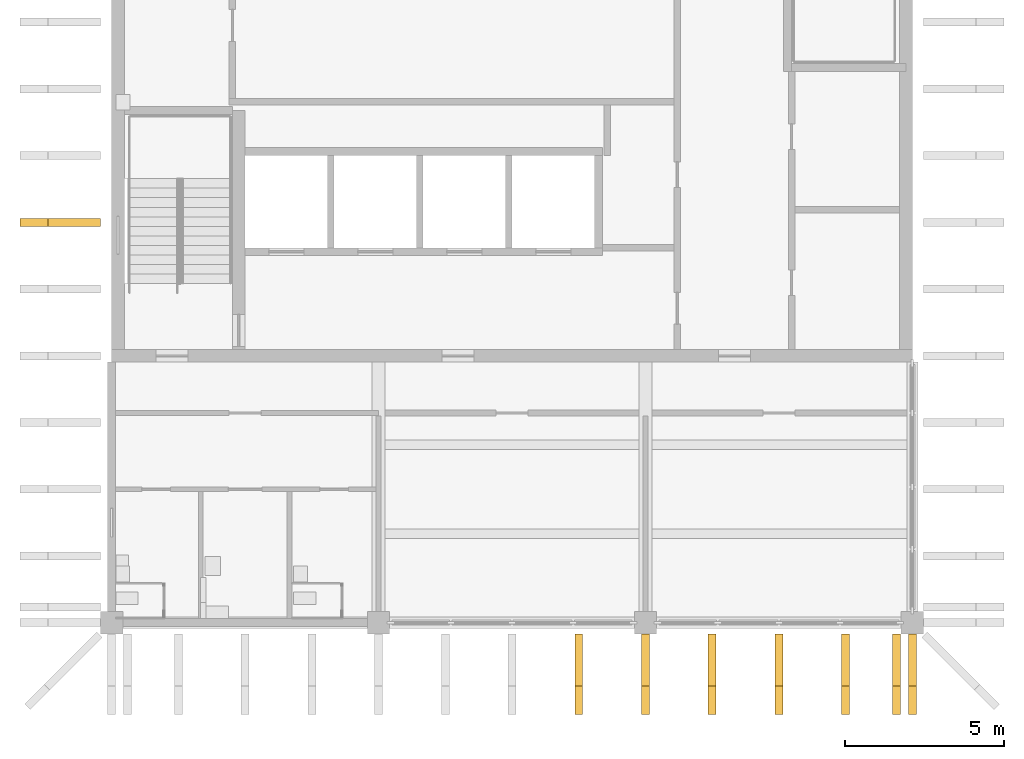
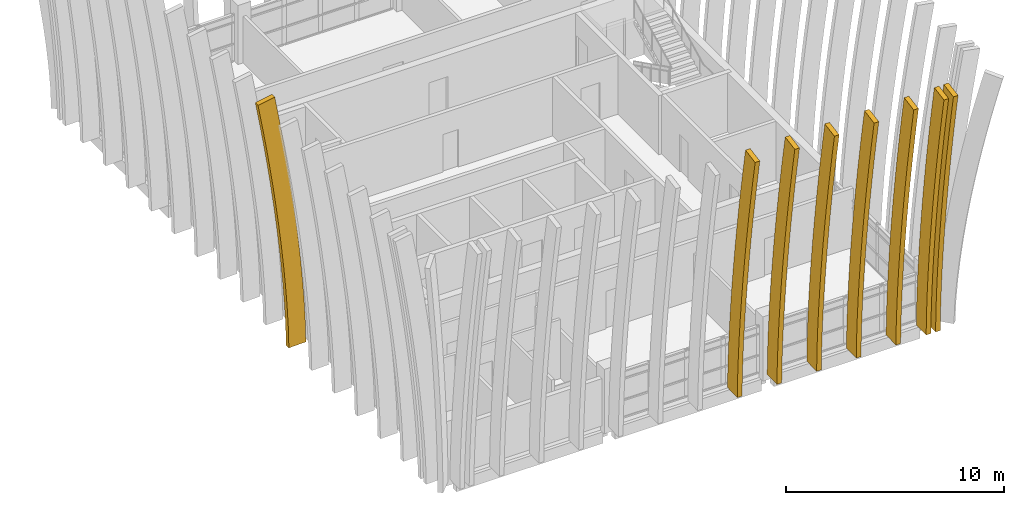
# One storey, part 11 of 19: 8 shading devices.
"""IFC4 building model written with IfcOpenShell, lengths in metres."""

import ifcopenshell
import ifcopenshell.guid

model = None  # the IFC model being written
_history = None  # IfcOwnerHistory: only IFC2X3 demands one
_inside = {}  # id of a spatial element -> (the spatial element, [elements in it])
_under = {}  # id of a project, library or spatial element -> (it, [spatial elements below it])
_declared = {}  # id of a project -> (the project, [libraries it declares])
_typed = {}  # id of a type object -> (the type object, [elements of that type])
_made_of = {}  # id of a material, layer set ... -> (it, [elements and type objects made of it])


def new_model(schema):
    """Start an empty IFC model of exactly this schema.

    Asked for "IFC4X3", IfcOpenShell would pick the latest addendum, in which some entities
    have other attributes; the version numbers below select the first issue.
    IFC2X3 requires an IfcOwnerHistory on every rooted entity: one is made here for all.
    """
    global model, _history
    if schema == "IFC4X3":
        model = ifcopenshell.file(schema_version=(4, 3, 0, 0))
    else:
        model = ifcopenshell.file(schema=schema)
    _inside.clear()
    _under.clear()
    _declared.clear()
    _typed.clear()
    _made_of.clear()
    _history = None
    if model.schema == "IFC2X3":
        org = make("IfcOrganization", Name="unknown")
        user = make(
            "IfcPersonAndOrganization",
            ThePerson=make("IfcPerson", FamilyName="unknown"),
            TheOrganization=org,
        )
        app = make(
            "IfcApplication",
            ApplicationDeveloper=org,
            Version="unknown",
            ApplicationFullName="unknown",
            ApplicationIdentifier="unknown",
        )
        _history = make(
            "IfcOwnerHistory",
            OwningUser=user,
            OwningApplication=app,
            ChangeAction="ADDED",
            CreationDate=0,
        )
    return model


def make(cls, **values):
    """One entity of the class cls with the attributes given. An attribute that is None is left unset."""
    return model.create_entity(
        cls, **{name: value for name, value in values.items() if value is not None}
    )


def rooted(cls, **values):
    """An entity with a GlobalId (a new one), such as an element, a storey or a relation."""
    return make(cls, GlobalId=ifcopenshell.guid.new(), OwnerHistory=_history, **values)


def si_unit(unit_type, name, prefix=None):
    """IfcSIUnit, for example si_unit("LENGTHUNIT", "METRE", prefix="MILLI")."""
    return make("IfcSIUnit", UnitType=unit_type, Prefix=prefix, Name=name)


def assignment(units):
    """IfcUnitAssignment: the units of a project."""
    return None if units is None else make("IfcUnitAssignment", Units=units)


def point(xyz):
    """IfcCartesianPoint."""
    return None if xyz is None else make("IfcCartesianPoint", Coordinates=xyz)


def direction(xyz):
    """IfcDirection."""
    return None if xyz is None else make("IfcDirection", DirectionRatios=xyz)


def frame(location, z_axis=None, x_axis=None):
    """IfcAxis2Placement3D, a coordinate frame: its origin and axes. An axis left out is left unset."""
    return make(
        "IfcAxis2Placement3D",
        Location=point(location),
        Axis=direction(z_axis),
        RefDirection=direction(x_axis),
    )


def frame_2d(location, x_axis=None):
    """IfcAxis2Placement2D, a coordinate frame in the plane: its origin and x axis."""
    return make(
        "IfcAxis2Placement2D", Location=point(location), RefDirection=direction(x_axis)
    )


def origin():
    """The frame at (0, 0, 0) with its axes left unset."""
    return frame((0.0, 0.0, 0.0))


def origin_2d():
    """The frame at (0, 0) in the plane with its x axis left unset."""
    return frame_2d((0.0, 0.0))


def place(relative_to, where):
    """IfcLocalPlacement: puts the frame where relative to a parent placement (None: the world)."""
    return make(
        "IfcLocalPlacement", PlacementRelTo=relative_to, RelativePlacement=where
    )


def context(
    kind, dimensions, precision=None, world=None, true_north=None, identifier=None
):
    """IfcGeometricRepresentationContext, for example the 3D "Model" context."""
    return make(
        "IfcGeometricRepresentationContext",
        ContextIdentifier=identifier,
        ContextType=kind,
        CoordinateSpaceDimension=dimensions,
        Precision=precision,
        WorldCoordinateSystem=world,
        TrueNorth=true_north,
    )


def subcontext(parent, identifier, kind, view, scale=None):
    """IfcGeometricRepresentationSubContext, for example "Body" below "Model"."""
    return make(
        "IfcGeometricRepresentationSubContext",
        ContextIdentifier=identifier,
        ContextType=kind,
        ParentContext=parent,
        TargetScale=scale,
        TargetView=view,
    )


def project(units=None, contexts=None):
    """IfcProject with its units and contexts."""
    return rooted(
        "IfcProject",
        Name="project",
        RepresentationContexts=contexts,
        UnitsInContext=assignment(units),
    )


def spatial(cls, under=None, at=None, **own):
    """A site, building, storey or space (cls), placed at a placement, below another one or the project."""
    s = rooted(cls, ObjectPlacement=at, **own)
    if under is not None:
        _under.setdefault(under.id(), (under, []))[1].append(s)
    return s


def profile(cls, at=None, kind="AREA", **sizes):
    """A parametric profile (cls). Its sizes go by their IFC names, for example OverallWidth=200.0."""
    return make(cls, ProfileType=kind, Position=at, **sizes)


def rectangle(**sizes):
    """IfcRectangleProfileDef."""
    return profile("IfcRectangleProfileDef", **sizes)


def faces_of(points, faces, orient=None, outer=None):
    """IfcFace entities. A face is a list of loops; a loop is a list of indices into points, from 0.

    orient and outer hold one flag for each loop. By default every Orientation is true, the
    first loop of a face is its IfcFaceOuterBound and the others are IfcFaceBound.
    """
    made = []
    for i, loops in enumerate(faces):
        bounds = []
        for j, loop in enumerate(loops):
            is_outer = j == 0 if outer is None else outer[i][j]
            bounds.append(
                make(
                    "IfcFaceOuterBound" if is_outer else "IfcFaceBound",
                    Bound=make("IfcPolyLoop", Polygon=[points[k] for k in loop]),
                    Orientation=True if orient is None else orient[i][j],
                )
            )
        made.append(make("IfcFace", Bounds=bounds))
    return made


def faceted_brep(points, faces, orient=None, outer=None, voids=None):
    """IfcFacetedBrep: a solid bounded by flat faces; with voids (closed shells), ...WithVoids."""
    shared = [point(p) for p in points]
    hull = make("IfcClosedShell", CfsFaces=faces_of(shared, faces, orient, outer))
    if voids is None:
        return make("IfcFacetedBrep", Outer=hull)
    return make(
        "IfcFacetedBrepWithVoids",
        Outer=hull,
        Voids=[
            make(cls, CfsFaces=faces_of(shared, fs, o, b)) for cls, fs, o, b in voids
        ],
    )


def shape(context_of_items, identifier, shape_type, items):
    """IfcShapeRepresentation: the items that make up one representation, for example the "Body"."""
    return make(
        "IfcShapeRepresentation",
        ContextOfItems=context_of_items,
        RepresentationIdentifier=identifier,
        RepresentationType=shape_type,
        Items=items,
    )


def material(Name=None, Category=None):
    """IfcMaterial."""
    return make("IfcMaterial", Name=Name, Category=Category)


def material_profile(
    of_material, cross_section, Name=None, Category=None, Priority=None
):
    """IfcMaterialProfile: a cross section and its material."""
    return make(
        "IfcMaterialProfile",
        Name=Name,
        Material=of_material,
        Profile=cross_section,
        Priority=Priority,
        Category=Category,
    )


def profile_set(profiles, Name=None, composite=None):
    """IfcMaterialProfileSet."""
    return make(
        "IfcMaterialProfileSet",
        Name=Name,
        MaterialProfiles=profiles,
        CompositeProfile=composite,
    )


def made_of(thing, what):
    """Note that an element or type object is made of a material, layer set ...; save() writes the relation."""
    if what is not None:
        _made_of.setdefault(what.id(), (what, []))[1].append(thing)
    return thing


def type_object(cls, material=None, **own):
    """A type object (cls), such as IfcWallType, which elements share."""
    return made_of(rooted(cls, **own), material)


def element(
    cls,
    number,
    at=None,
    inside=None,
    cuts=None,
    type_object=None,
    material=None,
    context=None,
    identifier="Body",
    shape_type=None,
    held_by="IfcProductDefinitionShape",
    body=None,
    shapes=None,
    **own,
):
    """One element of the class cls, such as IfcWall. Its Tag is "e" and its number.

    at: its placement. inside: the storey or other place that contains it. cuts: it is an
    opening in that element (IfcRelVoidsElement). A single representation is given by context,
    identifier, shape_type and body (its items); several are given by shapes. held_by: the class
    of the entity that holds the representations. save() writes the other relations.
    """
    e = rooted(cls, Tag="e%d" % number, ObjectPlacement=at, **own)
    if body is not None:
        shapes = [shape(context, identifier, shape_type, body)]
    if shapes is not None:
        e.Representation = make(held_by, Representations=shapes)
    if inside is not None:
        _inside.setdefault(inside.id(), (inside, []))[1].append(e)
    if cuts is not None:
        rooted(
            "IfcRelVoidsElement", RelatingBuildingElement=cuts, RelatedOpeningElement=e
        )
    if type_object is not None:
        _typed.setdefault(type_object.id(), (type_object, []))[1].append(e)
    return made_of(e, material)


def aggregate(whole, parts):
    """IfcRelAggregates: a whole, such as a stair, and the parts it consists of."""
    return rooted("IfcRelAggregates", RelatingObject=whole, RelatedObjects=parts)


def save(model, path):
    """Write the relations noted so far, then the file.

    IfcRelAggregates (storeys below a building ...), IfcRelContainedInSpatialStructure (elements
    in a storey), IfcRelDefinesByType, IfcRelAssociatesMaterial and IfcRelDeclares: one each for
    every whole, place, type object, material and project.
    """
    for whole, parts in _under.values():
        aggregate(whole, parts)
    for where, things in _inside.values():
        rooted(
            "IfcRelContainedInSpatialStructure",
            RelatedElements=things,
            RelatingStructure=where,
        )
    for kind, things in _typed.values():
        rooted("IfcRelDefinesByType", RelatedObjects=things, RelatingType=kind)
    for what, things in _made_of.values():
        rooted("IfcRelAssociatesMaterial", RelatedObjects=things, RelatingMaterial=what)
    for by, libraries in _declared.values():
        rooted("IfcRelDeclares", RelatingContext=by, RelatedDefinitions=libraries)
    model.write(path)


model = new_model("IFC4")

# Units and contexts
model_context = context("Model", 3, precision=1e-05, world=origin(), true_north=direction((0.0, 1.0)))
body_context = subcontext(model_context, "Body", "Model", "MODEL_VIEW")
ifc_project = project(units=[si_unit("LENGTHUNIT", "METRE"), si_unit("AREAUNIT", "SQUARE_METRE"), si_unit("VOLUMEUNIT", "CUBIC_METRE"), si_unit("PLANEANGLEUNIT", "RADIAN"), si_unit("MASSUNIT", "GRAM", prefix="KILO")], contexts=[model_context])

# Site, building, storey
site_placement = place(None, origin())
site = spatial("IfcSite", under=ifc_project, at=site_placement, CompositionType="ELEMENT")
building_placement = place(site_placement, origin())
building = spatial("IfcBuilding", under=site, at=building_placement, Name="Rulbaag Community and Learning Centre", CompositionType="ELEMENT")
storey_placement = place(building_placement, frame((0.0, 0.0, 57.60009765625)))
storey = spatial("IfcBuildingStorey", under=building, at=storey_placement, Name="L15", CompositionType="ELEMENT", Elevation=57.60009765625)

# Shading devices
ifc_material = material(Name="Concrete M40", Category="concrete")
ifc_material_profile = material_profile(ifc_material, rectangle(XDim=0.25, YDim=0.89990234375, at=origin_2d()), Name="PC 250x900")
ifc_profile_set = profile_set([ifc_material_profile], Name="Concrete M40")
shading_device_type = type_object("IfcShadingDeviceType", Name="FIN-H", PredefinedType="JALOUSIE", material=ifc_profile_set)
shading_device_1_placement = place(storey_placement, frame((0.0, 0.0, -57.60009765625)))
element("IfcShadingDevice", 1, at=shading_device_1_placement, inside=storey, type_object=shading_device_type, Name="Precast crown fin", PredefinedType="JALOUSIE", context=body_context, shape_type="Brep", body=[
    faceted_brep([(157.375, 82.75, 57.587646484375), (157.625, 82.75, 57.587646484375), (157.625, 83.64990234375, 57.611083984375), (157.375, 83.64990234375, 57.611083984375), (157.375, 82.00048828125, 71.89794921875), (157.625, 82.00048828125, 71.89794921875), (157.625, 81.11474609375, 71.73876953125), (157.375, 81.11474609375, 71.73876953125), (157.625, 83.619140625, 58.790771484375), (157.375, 83.619140625, 58.790771484375), (157.625, 82.7197265625, 58.755126953125), (157.375, 82.7197265625, 58.755126953125), (157.625, 83.55615234375, 59.983154296875), (157.375, 83.55615234375, 59.983154296875), (157.625, 82.65771484375, 59.927001953125), (157.375, 82.65771484375, 59.927001953125), (157.625, 83.470458984375, 61.1748046875), (157.375, 83.470458984375, 61.1748046875), (157.625, 82.573486328125, 61.10302734375), (157.375, 82.573486328125, 61.10302734375), (157.625, 83.365478515625, 62.36669921875), (157.375, 83.365478515625, 62.36669921875), (157.625, 82.469482421875, 62.28125), (157.375, 82.469482421875, 62.28125), (157.625, 83.243408203125, 63.558349609375), (157.375, 83.243408203125, 63.558349609375), (157.625, 82.348876953125, 63.460693359375), (157.375, 82.348876953125, 63.460693359375), (157.625, 83.105712890625, 64.75), (157.375, 83.105712890625, 64.75), (157.625, 82.212158203125, 64.64111328125), (157.375, 82.212158203125, 64.64111328125), (157.625, 82.953369140625, 65.941650390625), (157.375, 82.953369140625, 65.941650390625), (157.625, 82.061279296875, 65.822509765625), (157.375, 82.061279296875, 65.822509765625), (157.625, 82.78759765625, 67.13330078125), (157.375, 82.78759765625, 67.13330078125), (157.625, 81.89697265625, 67.00439453125), (157.375, 81.89697265625, 67.00439453125), (157.625, 82.608642578125, 68.324951171875), (157.375, 82.608642578125, 68.324951171875), (157.625, 81.719482421875, 68.186767578125), (157.375, 81.719482421875, 68.186767578125), (157.625, 82.417236328125, 69.5166015625), (157.375, 82.417236328125, 69.5166015625), (157.625, 81.529541015625, 69.36962890625), (157.375, 81.529541015625, 69.36962890625), (157.625, 82.214599609375, 70.708251953125), (157.375, 82.214599609375, 70.708251953125), (157.625, 81.327880859375, 70.552978515625), (157.375, 81.327880859375, 70.552978515625)], [[[0, 1, 2, 3]], [[4, 5, 6, 7]], [[3, 2, 8, 9]], [[2, 1, 10, 8]], [[1, 0, 11, 10]], [[0, 3, 9, 11]], [[9, 8, 12, 13]], [[8, 10, 14, 12]], [[10, 11, 15, 14]], [[11, 9, 13, 15]], [[13, 12, 16, 17]], [[12, 14, 18, 16]], [[14, 15, 19, 18]], [[15, 13, 17, 19]], [[17, 16, 20, 21]], [[16, 18, 22, 20]], [[18, 19, 23, 22]], [[19, 17, 21, 23]], [[21, 20, 24, 25]], [[20, 22, 26, 24]], [[22, 23, 27, 26]], [[23, 21, 25, 27]], [[25, 24, 28, 29]], [[24, 26, 30, 28]], [[26, 27, 31, 30]], [[27, 25, 29, 31]], [[29, 28, 32, 33]], [[28, 30, 34, 32]], [[30, 31, 35, 34]], [[31, 29, 33, 35]], [[33, 32, 36, 37]], [[32, 34, 38, 36]], [[34, 35, 39, 38]], [[35, 33, 37, 39]], [[37, 36, 40, 41]], [[36, 38, 42, 40]], [[38, 39, 43, 42]], [[39, 37, 41, 43]], [[41, 40, 44, 45]], [[40, 42, 46, 44]], [[42, 43, 47, 46]], [[43, 41, 45, 47]], [[45, 44, 48, 49]], [[44, 46, 50, 48]], [[46, 47, 51, 50]], [[47, 45, 49, 51]], [[49, 48, 5, 4]], [[48, 50, 6, 5]], [[50, 51, 7, 6]], [[51, 49, 4, 7]]]),
])
shading_device_2_placement = place(storey_placement, frame((0.0, 0.0, -57.60009765625)))
element("IfcShadingDevice", 2, at=shading_device_2_placement, inside=storey, type_object=shading_device_type, Name="Precast crown fin", PredefinedType="JALOUSIE", context=body_context, shape_type="Brep", body=[
    faceted_brep([(159.47509765625, 82.75, 57.587646484375), (159.72509765625, 82.75, 57.587646484375), (159.72509765625, 83.64990234375, 57.611083984375), (159.47509765625, 83.64990234375, 57.611083984375), (159.47509765625, 82.00048828125, 71.89794921875), (159.72509765625, 82.00048828125, 71.89794921875), (159.72509765625, 81.11474609375, 71.73876953125), (159.47509765625, 81.11474609375, 71.73876953125), (159.72509765625, 83.619140625, 58.790771484375), (159.47509765625, 83.619140625, 58.790771484375), (159.72509765625, 82.7197265625, 58.755126953125), (159.47509765625, 82.7197265625, 58.755126953125), (159.72509765625, 83.55615234375, 59.983154296875), (159.47509765625, 83.55615234375, 59.983154296875), (159.72509765625, 82.65771484375, 59.927001953125), (159.47509765625, 82.65771484375, 59.927001953125), (159.72509765625, 83.470458984375, 61.1748046875), (159.47509765625, 83.470458984375, 61.1748046875), (159.72509765625, 82.573486328125, 61.10302734375), (159.47509765625, 82.573486328125, 61.10302734375), (159.72509765625, 83.365478515625, 62.36669921875), (159.47509765625, 83.365478515625, 62.36669921875), (159.72509765625, 82.469482421875, 62.28125), (159.47509765625, 82.469482421875, 62.28125), (159.72509765625, 83.243408203125, 63.558349609375), (159.47509765625, 83.243408203125, 63.558349609375), (159.72509765625, 82.348876953125, 63.460693359375), (159.47509765625, 82.348876953125, 63.460693359375), (159.72509765625, 83.105712890625, 64.75), (159.47509765625, 83.105712890625, 64.75), (159.72509765625, 82.212158203125, 64.64111328125), (159.47509765625, 82.212158203125, 64.64111328125), (159.72509765625, 82.953369140625, 65.941650390625), (159.47509765625, 82.953369140625, 65.941650390625), (159.72509765625, 82.061279296875, 65.822509765625), (159.47509765625, 82.061279296875, 65.822509765625), (159.72509765625, 82.78759765625, 67.13330078125), (159.47509765625, 82.78759765625, 67.13330078125), (159.72509765625, 81.89697265625, 67.00439453125), (159.47509765625, 81.89697265625, 67.00439453125), (159.72509765625, 82.608642578125, 68.324951171875), (159.47509765625, 82.608642578125, 68.324951171875), (159.72509765625, 81.719482421875, 68.186767578125), (159.47509765625, 81.719482421875, 68.186767578125), (159.72509765625, 82.417236328125, 69.5166015625), (159.47509765625, 82.417236328125, 69.5166015625), (159.72509765625, 81.529541015625, 69.36962890625), (159.47509765625, 81.529541015625, 69.36962890625), (159.72509765625, 82.214599609375, 70.708251953125), (159.47509765625, 82.214599609375, 70.708251953125), (159.72509765625, 81.327880859375, 70.552978515625), (159.47509765625, 81.327880859375, 70.552978515625)], [[[0, 1, 2, 3]], [[4, 5, 6, 7]], [[3, 2, 8, 9]], [[2, 1, 10, 8]], [[1, 0, 11, 10]], [[0, 3, 9, 11]], [[9, 8, 12, 13]], [[8, 10, 14, 12]], [[10, 11, 15, 14]], [[11, 9, 13, 15]], [[13, 12, 16, 17]], [[12, 14, 18, 16]], [[14, 15, 19, 18]], [[15, 13, 17, 19]], [[17, 16, 20, 21]], [[16, 18, 22, 20]], [[18, 19, 23, 22]], [[19, 17, 21, 23]], [[21, 20, 24, 25]], [[20, 22, 26, 24]], [[22, 23, 27, 26]], [[23, 21, 25, 27]], [[25, 24, 28, 29]], [[24, 26, 30, 28]], [[26, 27, 31, 30]], [[27, 25, 29, 31]], [[29, 28, 32, 33]], [[28, 30, 34, 32]], [[30, 31, 35, 34]], [[31, 29, 33, 35]], [[33, 32, 36, 37]], [[32, 34, 38, 36]], [[34, 35, 39, 38]], [[35, 33, 37, 39]], [[37, 36, 40, 41]], [[36, 38, 42, 40]], [[38, 39, 43, 42]], [[39, 37, 41, 43]], [[41, 40, 44, 45]], [[40, 42, 46, 44]], [[42, 43, 47, 46]], [[43, 41, 45, 47]], [[45, 44, 48, 49]], [[44, 46, 50, 48]], [[46, 47, 51, 50]], [[47, 45, 49, 51]], [[49, 48, 5, 4]], [[48, 50, 6, 5]], [[50, 51, 7, 6]], [[51, 49, 4, 7]]]),
])
shading_device_3_placement = place(storey_placement, frame((0.0, 0.0, -57.60009765625)))
element("IfcShadingDevice", 3, at=shading_device_3_placement, inside=storey, type_object=shading_device_type, Name="Precast crown fin", PredefinedType="JALOUSIE", context=body_context, shape_type="Brep", body=[
    faceted_brep([(161.574951171875, 82.75, 57.587646484375), (161.824951171875, 82.75, 57.587646484375), (161.824951171875, 83.64990234375, 57.611083984375), (161.574951171875, 83.64990234375, 57.611083984375), (161.574951171875, 82.00048828125, 71.89794921875), (161.824951171875, 82.00048828125, 71.89794921875), (161.824951171875, 81.11474609375, 71.73876953125), (161.574951171875, 81.11474609375, 71.73876953125), (161.824951171875, 83.619140625, 58.790771484375), (161.574951171875, 83.619140625, 58.790771484375), (161.824951171875, 82.7197265625, 58.755126953125), (161.574951171875, 82.7197265625, 58.755126953125), (161.824951171875, 83.55615234375, 59.983154296875), (161.574951171875, 83.55615234375, 59.983154296875), (161.824951171875, 82.65771484375, 59.927001953125), (161.574951171875, 82.65771484375, 59.927001953125), (161.824951171875, 83.470458984375, 61.1748046875), (161.574951171875, 83.470458984375, 61.1748046875), (161.824951171875, 82.573486328125, 61.10302734375), (161.574951171875, 82.573486328125, 61.10302734375), (161.824951171875, 83.365478515625, 62.36669921875), (161.574951171875, 83.365478515625, 62.36669921875), (161.824951171875, 82.469482421875, 62.28125), (161.574951171875, 82.469482421875, 62.28125), (161.824951171875, 83.243408203125, 63.558349609375), (161.574951171875, 83.243408203125, 63.558349609375), (161.824951171875, 82.348876953125, 63.460693359375), (161.574951171875, 82.348876953125, 63.460693359375), (161.824951171875, 83.105712890625, 64.75), (161.574951171875, 83.105712890625, 64.75), (161.824951171875, 82.212158203125, 64.64111328125), (161.574951171875, 82.212158203125, 64.64111328125), (161.824951171875, 82.953369140625, 65.941650390625), (161.574951171875, 82.953369140625, 65.941650390625), (161.824951171875, 82.061279296875, 65.822509765625), (161.574951171875, 82.061279296875, 65.822509765625), (161.824951171875, 82.78759765625, 67.13330078125), (161.574951171875, 82.78759765625, 67.13330078125), (161.824951171875, 81.89697265625, 67.00439453125), (161.574951171875, 81.89697265625, 67.00439453125), (161.824951171875, 82.608642578125, 68.324951171875), (161.574951171875, 82.608642578125, 68.324951171875), (161.824951171875, 81.719482421875, 68.186767578125), (161.574951171875, 81.719482421875, 68.186767578125), (161.824951171875, 82.417236328125, 69.5166015625), (161.574951171875, 82.417236328125, 69.5166015625), (161.824951171875, 81.529541015625, 69.36962890625), (161.574951171875, 81.529541015625, 69.36962890625), (161.824951171875, 82.214599609375, 70.708251953125), (161.574951171875, 82.214599609375, 70.708251953125), (161.824951171875, 81.327880859375, 70.552978515625), (161.574951171875, 81.327880859375, 70.552978515625)], [[[0, 1, 2, 3]], [[4, 5, 6, 7]], [[3, 2, 8, 9]], [[2, 1, 10, 8]], [[1, 0, 11, 10]], [[0, 3, 9, 11]], [[9, 8, 12, 13]], [[8, 10, 14, 12]], [[10, 11, 15, 14]], [[11, 9, 13, 15]], [[13, 12, 16, 17]], [[12, 14, 18, 16]], [[14, 15, 19, 18]], [[15, 13, 17, 19]], [[17, 16, 20, 21]], [[16, 18, 22, 20]], [[18, 19, 23, 22]], [[19, 17, 21, 23]], [[21, 20, 24, 25]], [[20, 22, 26, 24]], [[22, 23, 27, 26]], [[23, 21, 25, 27]], [[25, 24, 28, 29]], [[24, 26, 30, 28]], [[26, 27, 31, 30]], [[27, 25, 29, 31]], [[29, 28, 32, 33]], [[28, 30, 34, 32]], [[30, 31, 35, 34]], [[31, 29, 33, 35]], [[33, 32, 36, 37]], [[32, 34, 38, 36]], [[34, 35, 39, 38]], [[35, 33, 37, 39]], [[37, 36, 40, 41]], [[36, 38, 42, 40]], [[38, 39, 43, 42]], [[39, 37, 41, 43]], [[41, 40, 44, 45]], [[40, 42, 46, 44]], [[42, 43, 47, 46]], [[43, 41, 45, 47]], [[45, 44, 48, 49]], [[44, 46, 50, 48]], [[46, 47, 51, 50]], [[47, 45, 49, 51]], [[49, 48, 5, 4]], [[48, 50, 6, 5]], [[50, 51, 7, 6]], [[51, 49, 4, 7]]]),
])
shading_device_4_placement = place(storey_placement, frame((0.0, 0.0, -57.60009765625)))
element("IfcShadingDevice", 4, at=shading_device_4_placement, inside=storey, type_object=shading_device_type, Name="Precast crown fin", PredefinedType="JALOUSIE", context=body_context, shape_type="Brep", body=[
    faceted_brep([(163.675048828125, 82.75, 57.587646484375), (163.925048828125, 82.75, 57.587646484375), (163.925048828125, 83.64990234375, 57.611083984375), (163.675048828125, 83.64990234375, 57.611083984375), (163.675048828125, 82.00048828125, 71.89794921875), (163.925048828125, 82.00048828125, 71.89794921875), (163.925048828125, 81.11474609375, 71.73876953125), (163.675048828125, 81.11474609375, 71.73876953125), (163.925048828125, 83.619140625, 58.790771484375), (163.675048828125, 83.619140625, 58.790771484375), (163.925048828125, 82.7197265625, 58.755126953125), (163.675048828125, 82.7197265625, 58.755126953125), (163.925048828125, 83.55615234375, 59.983154296875), (163.675048828125, 83.55615234375, 59.983154296875), (163.925048828125, 82.65771484375, 59.927001953125), (163.675048828125, 82.65771484375, 59.927001953125), (163.925048828125, 83.470458984375, 61.1748046875), (163.675048828125, 83.470458984375, 61.1748046875), (163.925048828125, 82.573486328125, 61.10302734375), (163.675048828125, 82.573486328125, 61.10302734375), (163.925048828125, 83.365478515625, 62.36669921875), (163.675048828125, 83.365478515625, 62.36669921875), (163.925048828125, 82.469482421875, 62.28125), (163.675048828125, 82.469482421875, 62.28125), (163.925048828125, 83.243408203125, 63.558349609375), (163.675048828125, 83.243408203125, 63.558349609375), (163.925048828125, 82.348876953125, 63.460693359375), (163.675048828125, 82.348876953125, 63.460693359375), (163.925048828125, 83.105712890625, 64.75), (163.675048828125, 83.105712890625, 64.75), (163.925048828125, 82.212158203125, 64.64111328125), (163.675048828125, 82.212158203125, 64.64111328125), (163.925048828125, 82.953369140625, 65.941650390625), (163.675048828125, 82.953369140625, 65.941650390625), (163.925048828125, 82.061279296875, 65.822509765625), (163.675048828125, 82.061279296875, 65.822509765625), (163.925048828125, 82.78759765625, 67.13330078125), (163.675048828125, 82.78759765625, 67.13330078125), (163.925048828125, 81.89697265625, 67.00439453125), (163.675048828125, 81.89697265625, 67.00439453125), (163.925048828125, 82.608642578125, 68.324951171875), (163.675048828125, 82.608642578125, 68.324951171875), (163.925048828125, 81.719482421875, 68.186767578125), (163.675048828125, 81.719482421875, 68.186767578125), (163.925048828125, 82.417236328125, 69.5166015625), (163.675048828125, 82.417236328125, 69.5166015625), (163.925048828125, 81.529541015625, 69.36962890625), (163.675048828125, 81.529541015625, 69.36962890625), (163.925048828125, 82.214599609375, 70.708251953125), (163.675048828125, 82.214599609375, 70.708251953125), (163.925048828125, 81.327880859375, 70.552978515625), (163.675048828125, 81.327880859375, 70.552978515625)], [[[0, 1, 2, 3]], [[4, 5, 6, 7]], [[3, 2, 8, 9]], [[2, 1, 10, 8]], [[1, 0, 11, 10]], [[0, 3, 9, 11]], [[9, 8, 12, 13]], [[8, 10, 14, 12]], [[10, 11, 15, 14]], [[11, 9, 13, 15]], [[13, 12, 16, 17]], [[12, 14, 18, 16]], [[14, 15, 19, 18]], [[15, 13, 17, 19]], [[17, 16, 20, 21]], [[16, 18, 22, 20]], [[18, 19, 23, 22]], [[19, 17, 21, 23]], [[21, 20, 24, 25]], [[20, 22, 26, 24]], [[22, 23, 27, 26]], [[23, 21, 25, 27]], [[25, 24, 28, 29]], [[24, 26, 30, 28]], [[26, 27, 31, 30]], [[27, 25, 29, 31]], [[29, 28, 32, 33]], [[28, 30, 34, 32]], [[30, 31, 35, 34]], [[31, 29, 33, 35]], [[33, 32, 36, 37]], [[32, 34, 38, 36]], [[34, 35, 39, 38]], [[35, 33, 37, 39]], [[37, 36, 40, 41]], [[36, 38, 42, 40]], [[38, 39, 43, 42]], [[39, 37, 41, 43]], [[41, 40, 44, 45]], [[40, 42, 46, 44]], [[42, 43, 47, 46]], [[43, 41, 45, 47]], [[45, 44, 48, 49]], [[44, 46, 50, 48]], [[46, 47, 51, 50]], [[47, 45, 49, 51]], [[49, 48, 5, 4]], [[48, 50, 6, 5]], [[50, 51, 7, 6]], [[51, 49, 4, 7]]]),
])
shading_device_5_placement = place(storey_placement, frame((0.0, 0.0, -57.60009765625)))
element("IfcShadingDevice", 5, at=shading_device_5_placement, inside=storey, type_object=shading_device_type, Name="Precast crown fin", PredefinedType="JALOUSIE", context=body_context, shape_type="Brep", body=[
    faceted_brep([(165.77490234375, 82.75, 57.587646484375), (166.02490234375, 82.75, 57.587646484375), (166.02490234375, 83.64990234375, 57.611083984375), (165.77490234375, 83.64990234375, 57.611083984375), (165.77490234375, 82.00048828125, 71.89794921875), (166.02490234375, 82.00048828125, 71.89794921875), (166.02490234375, 81.11474609375, 71.73876953125), (165.77490234375, 81.11474609375, 71.73876953125), (166.02490234375, 83.619140625, 58.790771484375), (165.77490234375, 83.619140625, 58.790771484375), (166.02490234375, 82.7197265625, 58.755126953125), (165.77490234375, 82.7197265625, 58.755126953125), (166.02490234375, 83.55615234375, 59.983154296875), (165.77490234375, 83.55615234375, 59.983154296875), (166.02490234375, 82.65771484375, 59.927001953125), (165.77490234375, 82.65771484375, 59.927001953125), (166.02490234375, 83.470458984375, 61.1748046875), (165.77490234375, 83.470458984375, 61.1748046875), (166.02490234375, 82.573486328125, 61.10302734375), (165.77490234375, 82.573486328125, 61.10302734375), (166.02490234375, 83.365478515625, 62.36669921875), (165.77490234375, 83.365478515625, 62.36669921875), (166.02490234375, 82.469482421875, 62.28125), (165.77490234375, 82.469482421875, 62.28125), (166.02490234375, 83.243408203125, 63.558349609375), (165.77490234375, 83.243408203125, 63.558349609375), (166.02490234375, 82.348876953125, 63.460693359375), (165.77490234375, 82.348876953125, 63.460693359375), (166.02490234375, 83.105712890625, 64.75), (165.77490234375, 83.105712890625, 64.75), (166.02490234375, 82.212158203125, 64.64111328125), (165.77490234375, 82.212158203125, 64.64111328125), (166.02490234375, 82.953369140625, 65.941650390625), (165.77490234375, 82.953369140625, 65.941650390625), (166.02490234375, 82.061279296875, 65.822509765625), (165.77490234375, 82.061279296875, 65.822509765625), (166.02490234375, 82.78759765625, 67.13330078125), (165.77490234375, 82.78759765625, 67.13330078125), (166.02490234375, 81.89697265625, 67.00439453125), (165.77490234375, 81.89697265625, 67.00439453125), (166.02490234375, 82.608642578125, 68.324951171875), (165.77490234375, 82.608642578125, 68.324951171875), (166.02490234375, 81.719482421875, 68.186767578125), (165.77490234375, 81.719482421875, 68.186767578125), (166.02490234375, 82.417236328125, 69.5166015625), (165.77490234375, 82.417236328125, 69.5166015625), (166.02490234375, 81.529541015625, 69.36962890625), (165.77490234375, 81.529541015625, 69.36962890625), (166.02490234375, 82.214599609375, 70.708251953125), (165.77490234375, 82.214599609375, 70.708251953125), (166.02490234375, 81.327880859375, 70.552978515625), (165.77490234375, 81.327880859375, 70.552978515625)], [[[0, 1, 2, 3]], [[4, 5, 6, 7]], [[3, 2, 8, 9]], [[2, 1, 10, 8]], [[1, 0, 11, 10]], [[0, 3, 9, 11]], [[9, 8, 12, 13]], [[8, 10, 14, 12]], [[10, 11, 15, 14]], [[11, 9, 13, 15]], [[13, 12, 16, 17]], [[12, 14, 18, 16]], [[14, 15, 19, 18]], [[15, 13, 17, 19]], [[17, 16, 20, 21]], [[16, 18, 22, 20]], [[18, 19, 23, 22]], [[19, 17, 21, 23]], [[21, 20, 24, 25]], [[20, 22, 26, 24]], [[22, 23, 27, 26]], [[23, 21, 25, 27]], [[25, 24, 28, 29]], [[24, 26, 30, 28]], [[26, 27, 31, 30]], [[27, 25, 29, 31]], [[29, 28, 32, 33]], [[28, 30, 34, 32]], [[30, 31, 35, 34]], [[31, 29, 33, 35]], [[33, 32, 36, 37]], [[32, 34, 38, 36]], [[34, 35, 39, 38]], [[35, 33, 37, 39]], [[37, 36, 40, 41]], [[36, 38, 42, 40]], [[38, 39, 43, 42]], [[39, 37, 41, 43]], [[41, 40, 44, 45]], [[40, 42, 46, 44]], [[42, 43, 47, 46]], [[43, 41, 45, 47]], [[45, 44, 48, 49]], [[44, 46, 50, 48]], [[46, 47, 51, 50]], [[47, 45, 49, 51]], [[49, 48, 5, 4]], [[48, 50, 6, 5]], [[50, 51, 7, 6]], [[51, 49, 4, 7]]]),
])
shading_device_6_placement = place(storey_placement, frame((0.0, 0.0, -57.60009765625)))
element("IfcShadingDevice", 6, at=shading_device_6_placement, inside=storey, type_object=shading_device_type, Name="Precast crown fin", PredefinedType="JALOUSIE", context=body_context, shape_type="Brep", body=[
    faceted_brep([(167.375, 82.75, 57.587646484375), (167.625, 82.75, 57.587646484375), (167.625, 83.64990234375, 57.611083984375), (167.375, 83.64990234375, 57.611083984375), (167.375, 82.00048828125, 71.89794921875), (167.625, 82.00048828125, 71.89794921875), (167.625, 81.11474609375, 71.73876953125), (167.375, 81.11474609375, 71.73876953125), (167.625, 83.619140625, 58.790771484375), (167.375, 83.619140625, 58.790771484375), (167.625, 82.7197265625, 58.755126953125), (167.375, 82.7197265625, 58.755126953125), (167.625, 83.55615234375, 59.983154296875), (167.375, 83.55615234375, 59.983154296875), (167.625, 82.65771484375, 59.927001953125), (167.375, 82.65771484375, 59.927001953125), (167.625, 83.470458984375, 61.1748046875), (167.375, 83.470458984375, 61.1748046875), (167.625, 82.573486328125, 61.10302734375), (167.375, 82.573486328125, 61.10302734375), (167.625, 83.365478515625, 62.36669921875), (167.375, 83.365478515625, 62.36669921875), (167.625, 82.469482421875, 62.28125), (167.375, 82.469482421875, 62.28125), (167.625, 83.243408203125, 63.558349609375), (167.375, 83.243408203125, 63.558349609375), (167.625, 82.348876953125, 63.460693359375), (167.375, 82.348876953125, 63.460693359375), (167.625, 83.105712890625, 64.75), (167.375, 83.105712890625, 64.75), (167.625, 82.212158203125, 64.64111328125), (167.375, 82.212158203125, 64.64111328125), (167.625, 82.953369140625, 65.941650390625), (167.375, 82.953369140625, 65.941650390625), (167.625, 82.061279296875, 65.822509765625), (167.375, 82.061279296875, 65.822509765625), (167.625, 82.78759765625, 67.13330078125), (167.375, 82.78759765625, 67.13330078125), (167.625, 81.89697265625, 67.00439453125), (167.375, 81.89697265625, 67.00439453125), (167.625, 82.608642578125, 68.324951171875), (167.375, 82.608642578125, 68.324951171875), (167.625, 81.719482421875, 68.186767578125), (167.375, 81.719482421875, 68.186767578125), (167.625, 82.417236328125, 69.5166015625), (167.375, 82.417236328125, 69.5166015625), (167.625, 81.529541015625, 69.36962890625), (167.375, 81.529541015625, 69.36962890625), (167.625, 82.214599609375, 70.708251953125), (167.375, 82.214599609375, 70.708251953125), (167.625, 81.327880859375, 70.552978515625), (167.375, 81.327880859375, 70.552978515625)], [[[0, 1, 2, 3]], [[4, 5, 6, 7]], [[3, 2, 8, 9]], [[2, 1, 10, 8]], [[1, 0, 11, 10]], [[0, 3, 9, 11]], [[9, 8, 12, 13]], [[8, 10, 14, 12]], [[10, 11, 15, 14]], [[11, 9, 13, 15]], [[13, 12, 16, 17]], [[12, 14, 18, 16]], [[14, 15, 19, 18]], [[15, 13, 17, 19]], [[17, 16, 20, 21]], [[16, 18, 22, 20]], [[18, 19, 23, 22]], [[19, 17, 21, 23]], [[21, 20, 24, 25]], [[20, 22, 26, 24]], [[22, 23, 27, 26]], [[23, 21, 25, 27]], [[25, 24, 28, 29]], [[24, 26, 30, 28]], [[26, 27, 31, 30]], [[27, 25, 29, 31]], [[29, 28, 32, 33]], [[28, 30, 34, 32]], [[30, 31, 35, 34]], [[31, 29, 33, 35]], [[33, 32, 36, 37]], [[32, 34, 38, 36]], [[34, 35, 39, 38]], [[35, 33, 37, 39]], [[37, 36, 40, 41]], [[36, 38, 42, 40]], [[38, 39, 43, 42]], [[39, 37, 41, 43]], [[41, 40, 44, 45]], [[40, 42, 46, 44]], [[42, 43, 47, 46]], [[43, 41, 45, 47]], [[45, 44, 48, 49]], [[44, 46, 50, 48]], [[46, 47, 51, 50]], [[47, 45, 49, 51]], [[49, 48, 5, 4]], [[48, 50, 6, 5]], [[50, 51, 7, 6]], [[51, 49, 4, 7]]]),
])
shading_device_7_placement = place(storey_placement, frame((0.0, 0.0, -57.60009765625)))
element("IfcShadingDevice", 7, at=shading_device_7_placement, inside=storey, type_object=shading_device_type, Name="Precast crown fin", PredefinedType="JALOUSIE", context=body_context, shape_type="Brep", body=[
    faceted_brep([(167.875, 82.75, 57.587646484375), (168.125, 82.75, 57.587646484375), (168.125, 83.64990234375, 57.611083984375), (167.875, 83.64990234375, 57.611083984375), (167.875, 82.00048828125, 71.89794921875), (168.125, 82.00048828125, 71.89794921875), (168.125, 81.11474609375, 71.73876953125), (167.875, 81.11474609375, 71.73876953125), (168.125, 83.619140625, 58.790771484375), (167.875, 83.619140625, 58.790771484375), (168.125, 82.7197265625, 58.755126953125), (167.875, 82.7197265625, 58.755126953125), (168.125, 83.55615234375, 59.983154296875), (167.875, 83.55615234375, 59.983154296875), (168.125, 82.65771484375, 59.927001953125), (167.875, 82.65771484375, 59.927001953125), (168.125, 83.470458984375, 61.1748046875), (167.875, 83.470458984375, 61.1748046875), (168.125, 82.573486328125, 61.10302734375), (167.875, 82.573486328125, 61.10302734375), (168.125, 83.365478515625, 62.36669921875), (167.875, 83.365478515625, 62.36669921875), (168.125, 82.469482421875, 62.28125), (167.875, 82.469482421875, 62.28125), (168.125, 83.243408203125, 63.558349609375), (167.875, 83.243408203125, 63.558349609375), (168.125, 82.348876953125, 63.460693359375), (167.875, 82.348876953125, 63.460693359375), (168.125, 83.105712890625, 64.75), (167.875, 83.105712890625, 64.75), (168.125, 82.212158203125, 64.64111328125), (167.875, 82.212158203125, 64.64111328125), (168.125, 82.953369140625, 65.941650390625), (167.875, 82.953369140625, 65.941650390625), (168.125, 82.061279296875, 65.822509765625), (167.875, 82.061279296875, 65.822509765625), (168.125, 82.78759765625, 67.13330078125), (167.875, 82.78759765625, 67.13330078125), (168.125, 81.89697265625, 67.00439453125), (167.875, 81.89697265625, 67.00439453125), (168.125, 82.608642578125, 68.324951171875), (167.875, 82.608642578125, 68.324951171875), (168.125, 81.719482421875, 68.186767578125), (167.875, 81.719482421875, 68.186767578125), (168.125, 82.417236328125, 69.5166015625), (167.875, 82.417236328125, 69.5166015625), (168.125, 81.529541015625, 69.36962890625), (167.875, 81.529541015625, 69.36962890625), (168.125, 82.214599609375, 70.708251953125), (167.875, 82.214599609375, 70.708251953125), (168.125, 81.327880859375, 70.552978515625), (167.875, 81.327880859375, 70.552978515625)], [[[0, 1, 2, 3]], [[4, 5, 6, 7]], [[3, 2, 8, 9]], [[2, 1, 10, 8]], [[1, 0, 11, 10]], [[0, 3, 9, 11]], [[9, 8, 12, 13]], [[8, 10, 14, 12]], [[10, 11, 15, 14]], [[11, 9, 13, 15]], [[13, 12, 16, 17]], [[12, 14, 18, 16]], [[14, 15, 19, 18]], [[15, 13, 17, 19]], [[17, 16, 20, 21]], [[16, 18, 22, 20]], [[18, 19, 23, 22]], [[19, 17, 21, 23]], [[21, 20, 24, 25]], [[20, 22, 26, 24]], [[22, 23, 27, 26]], [[23, 21, 25, 27]], [[25, 24, 28, 29]], [[24, 26, 30, 28]], [[26, 27, 31, 30]], [[27, 25, 29, 31]], [[29, 28, 32, 33]], [[28, 30, 34, 32]], [[30, 31, 35, 34]], [[31, 29, 33, 35]], [[33, 32, 36, 37]], [[32, 34, 38, 36]], [[34, 35, 39, 38]], [[35, 33, 37, 39]], [[37, 36, 40, 41]], [[36, 38, 42, 40]], [[38, 39, 43, 42]], [[39, 37, 41, 43]], [[41, 40, 44, 45]], [[40, 42, 46, 44]], [[42, 43, 47, 46]], [[43, 41, 45, 47]], [[45, 44, 48, 49]], [[44, 46, 50, 48]], [[46, 47, 51, 50]], [[47, 45, 49, 51]], [[49, 48, 5, 4]], [[48, 50, 6, 5]], [[50, 51, 7, 6]], [[51, 49, 4, 7]]]),
])
shading_device_8_placement = place(storey_placement, frame((0.0, 0.0, -57.60009765625)))
element("IfcShadingDevice", 8, at=shading_device_8_placement, inside=storey, type_object=shading_device_type, Name="Precast crown fin", PredefinedType="JALOUSIE", context=body_context, shape_type="Brep", body=[
    faceted_brep([(141.550048828125, 96.47509765625, 57.587646484375), (141.550048828125, 96.72509765625, 57.587646484375), (142.449951171875, 96.72509765625, 57.611083984375), (142.449951171875, 96.47509765625, 57.611083984375), (140.80029296875, 96.47509765625, 71.898193359375), (140.80029296875, 96.72509765625, 71.898193359375), (139.91455078125, 96.72509765625, 71.738525390625), (139.91455078125, 96.47509765625, 71.738525390625), (142.419189453125, 96.72509765625, 58.790771484375), (142.419189453125, 96.47509765625, 58.790771484375), (141.519775390625, 96.72509765625, 58.755126953125), (141.519775390625, 96.47509765625, 58.755126953125), (142.356201171875, 96.72509765625, 59.983154296875), (142.356201171875, 96.47509765625, 59.983154296875), (141.457763671875, 96.72509765625, 59.927001953125), (141.457763671875, 96.47509765625, 59.927001953125), (142.2705078125, 96.72509765625, 61.1748046875), (142.2705078125, 96.47509765625, 61.1748046875), (141.37353515625, 96.72509765625, 61.10302734375), (141.37353515625, 96.47509765625, 61.10302734375), (142.16552734375, 96.72509765625, 62.36669921875), (142.16552734375, 96.47509765625, 62.36669921875), (141.26953125, 96.72509765625, 62.28125), (141.26953125, 96.47509765625, 62.28125), (142.04345703125, 96.72509765625, 63.558349609375), (142.04345703125, 96.47509765625, 63.558349609375), (141.14892578125, 96.72509765625, 63.460693359375), (141.14892578125, 96.47509765625, 63.460693359375), (141.90576171875, 96.72509765625, 64.75), (141.90576171875, 96.47509765625, 64.75), (141.01220703125, 96.72509765625, 64.64111328125), (141.01220703125, 96.47509765625, 64.64111328125), (141.75341796875, 96.72509765625, 65.941650390625), (141.75341796875, 96.47509765625, 65.941650390625), (140.861328125, 96.72509765625, 65.822509765625), (140.861328125, 96.47509765625, 65.822509765625), (141.58740234375, 96.72509765625, 67.13330078125), (141.58740234375, 96.47509765625, 67.13330078125), (140.69677734375, 96.72509765625, 67.00439453125), (140.69677734375, 96.47509765625, 67.00439453125), (141.40869140625, 96.72509765625, 68.324951171875), (141.40869140625, 96.47509765625, 68.324951171875), (140.51953125, 96.72509765625, 68.186767578125), (140.51953125, 96.47509765625, 68.186767578125), (141.21728515625, 96.72509765625, 69.5166015625), (141.21728515625, 96.47509765625, 69.5166015625), (140.32958984375, 96.72509765625, 69.36962890625), (140.32958984375, 96.47509765625, 69.36962890625), (141.0146484375, 96.72509765625, 70.708251953125), (141.0146484375, 96.47509765625, 70.708251953125), (140.1279296875, 96.72509765625, 70.552978515625), (140.1279296875, 96.47509765625, 70.552978515625)], [[[0, 1, 2, 3]], [[4, 5, 6, 7]], [[3, 2, 8, 9]], [[2, 1, 10, 8]], [[1, 0, 11, 10]], [[0, 3, 9, 11]], [[9, 8, 12, 13]], [[8, 10, 14, 12]], [[10, 11, 15, 14]], [[11, 9, 13, 15]], [[13, 12, 16, 17]], [[12, 14, 18, 16]], [[14, 15, 19, 18]], [[15, 13, 17, 19]], [[17, 16, 20, 21]], [[16, 18, 22, 20]], [[18, 19, 23, 22]], [[19, 17, 21, 23]], [[21, 20, 24, 25]], [[20, 22, 26, 24]], [[22, 23, 27, 26]], [[23, 21, 25, 27]], [[25, 24, 28, 29]], [[24, 26, 30, 28]], [[26, 27, 31, 30]], [[27, 25, 29, 31]], [[29, 28, 32, 33]], [[28, 30, 34, 32]], [[30, 31, 35, 34]], [[31, 29, 33, 35]], [[33, 32, 36, 37]], [[32, 34, 38, 36]], [[34, 35, 39, 38]], [[35, 33, 37, 39]], [[37, 36, 40, 41]], [[36, 38, 42, 40]], [[38, 39, 43, 42]], [[39, 37, 41, 43]], [[41, 40, 44, 45]], [[40, 42, 46, 44]], [[42, 43, 47, 46]], [[43, 41, 45, 47]], [[45, 44, 48, 49]], [[44, 46, 50, 48]], [[46, 47, 51, 50]], [[47, 45, 49, 51]], [[49, 48, 5, 4]], [[48, 50, 6, 5]], [[50, 51, 7, 6]], [[51, 49, 4, 7]]]),
])

save(model, "model.ifc")
